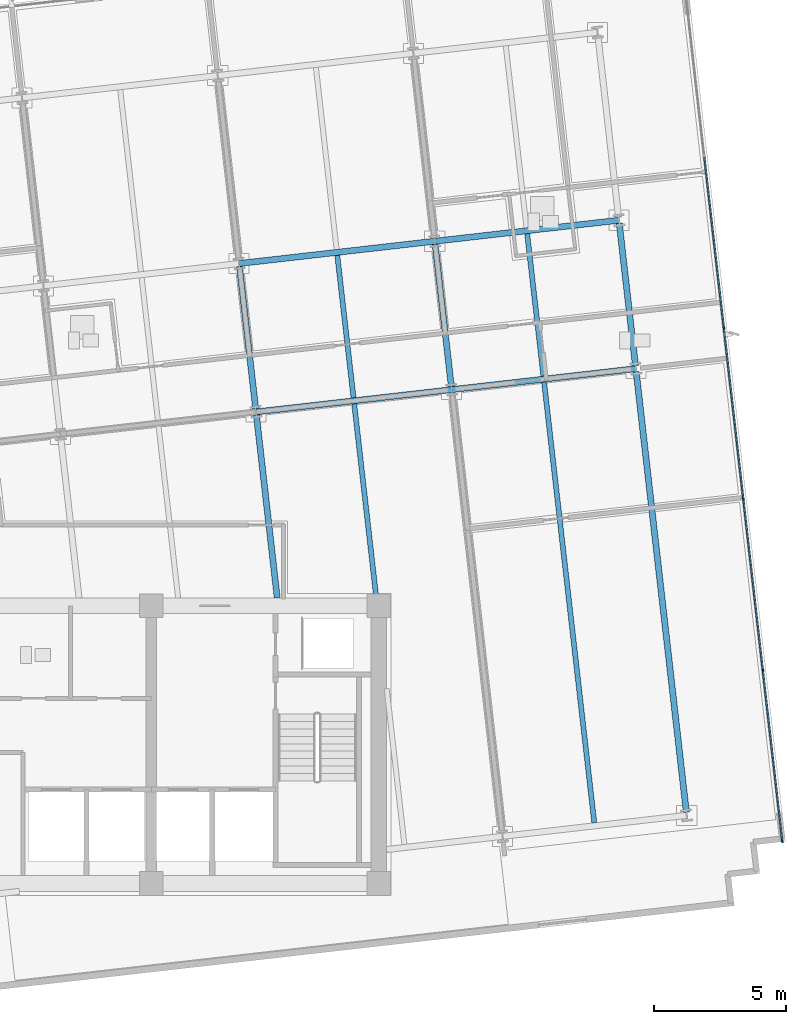
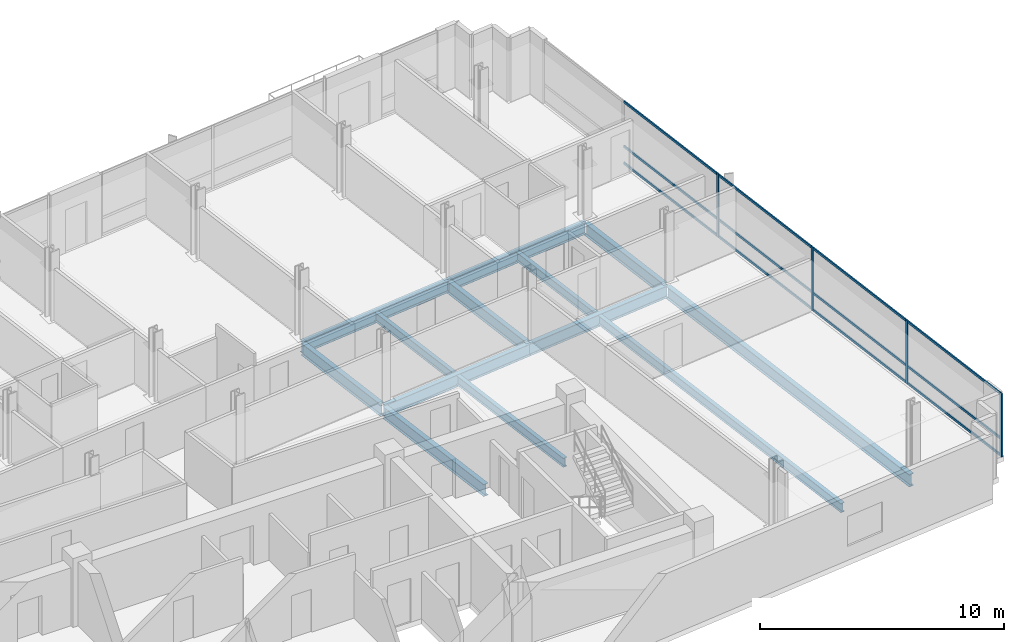
# One storey, part 5 of 16: 16 members, 13 beams, 1 element without a shape of its own.
"""IFC4 building model written with IfcOpenShell, lengths in metres."""

from ifc_helpers import new_model, si_unit, direction, frame, origin, origin_2d, place, context, subcontext, project, spatial, rectangle, i_section, extrude, material, material_profile, profile_set, type_object, element, aggregate, save


model = new_model("IFC4")

# Units and contexts
model_context = context("Model", 3, precision=1e-05, world=origin(), true_north=direction((0.0, 1.0)))
body_context = subcontext(model_context, "Body", "Model", "MODEL_VIEW")
ifc_project = project(units=[si_unit("LENGTHUNIT", "METRE"), si_unit("AREAUNIT", "SQUARE_METRE"), si_unit("VOLUMEUNIT", "CUBIC_METRE"), si_unit("PLANEANGLEUNIT", "RADIAN"), si_unit("MASSUNIT", "GRAM", prefix="KILO")], contexts=[model_context])

# Site, building, storey
site_placement = place(None, origin())
site = spatial("IfcSite", under=ifc_project, at=site_placement, CompositionType="ELEMENT")
building_placement = place(site_placement, origin())
building = spatial("IfcBuilding", under=site, at=building_placement, Name="Solmavex Isthmus Hotel", CompositionType="ELEMENT")
storey_placement = place(building_placement, frame((0.0, 0.0, 215.85009765625)))
storey = spatial("IfcBuildingStorey", under=building, at=storey_placement, Name="L58", CompositionType="ELEMENT", Elevation=215.85009765625)

# Beams
ifc_material_1 = material(Name="Steel ASTM A992 Grade 50", Category="steel")
ifc_material_profile_1 = material_profile(ifc_material_1, i_section(OverallWidth=0.1904296875, OverallDepth=0.456787109375, WebThickness=0.009033203125, FlangeThickness=0.014404296875, FilletRadius=0.0126953125, at=origin_2d()), Name="W18X50")
ifc_profile_set_1 = profile_set([ifc_material_profile_1], Name="Steel ASTM A992 Grade 50")
beam_type_1 = type_object("IfcBeamType", Name="BM-BJ-W18X50", PredefinedType="JOIST", material=ifc_profile_set_1)
beam_1_placement = place(storey_placement, frame((15.908447265625, -2.199951171875, -0.488525390625), z_axis=(-0.113224925382, 0.99356938171, 0.0), x_axis=(-0.99356938171, -0.113224925382, 0.0)))
element("IfcBeam", 1, at=beam_1_placement, inside=storey, type_object=beam_type_1, Name="Secondary Floor Joist L58-J16", PredefinedType="JOIST", context=body_context, shape_type="SweptSolid", body=[
    extrude(i_section(OverallWidth=0.1904296875, OverallDepth=0.456787109375, WebThickness=0.009033203125, FlangeThickness=0.014404296875, FilletRadius=0.0126953125, at=origin_2d()), origin(), (0.0, 0.0, 1.0), 7.38525390625),
])
beam_2_placement = place(storey_placement, frame((15.046630859375, 5.364013671875, -0.488525390625), z_axis=(-0.113189626161, 0.993573403695, 0.0), x_axis=(-0.993573403695, -0.113189626161, 0.0)))
element("IfcBeam", 2, at=beam_2_placement, inside=storey, type_object=beam_type_1, Name="Secondary Floor Joist L58-J17", PredefinedType="JOIST", context=body_context, shape_type="SweptSolid", body=[
    extrude(i_section(OverallWidth=0.1904296875, OverallDepth=0.456787109375, WebThickness=0.009033203125, FlangeThickness=0.014404296875, FilletRadius=0.0126953125, at=origin_2d()), origin(), (0.0, 0.0, 1.0), 5.42041015625),
])
beam_3_placement = place(storey_placement, frame((24.1513671875, -10.707275390625, -0.488525390625), z_axis=(-0.113198426291, 0.993572401129, 0.0), x_axis=(-0.993572401129, -0.113198426291, 0.0)))
element("IfcBeam", 3, at=beam_3_placement, inside=storey, type_object=beam_type_1, Name="Secondary Floor Joist L58-J19", PredefinedType="JOIST", context=body_context, shape_type="SweptSolid", body=[
    extrude(i_section(OverallWidth=0.1904296875, OverallDepth=0.456787109375, WebThickness=0.009033203125, FlangeThickness=0.014404296875, FilletRadius=0.0126953125, at=origin_2d()), origin(), (0.0, 0.0, 1.0), 16.77099609375),
])
beam_4_placement = place(storey_placement, frame((22.22705078125, 6.18212890625, -0.488525390625), z_axis=(-0.113189626161, 0.993573403695, 0.0), x_axis=(-0.993573403695, -0.113189626161, 0.0)))
element("IfcBeam", 4, at=beam_4_placement, inside=storey, type_object=beam_type_1, Name="Secondary Floor Joist L58-J20", PredefinedType="JOIST", context=body_context, shape_type="SweptSolid", body=[
    extrude(i_section(OverallWidth=0.1904296875, OverallDepth=0.456787109375, WebThickness=0.009033203125, FlangeThickness=0.014404296875, FilletRadius=0.0126953125, at=origin_2d()), origin(), (0.0, 0.0, 1.0), 5.42041015625),
])
ifc_material_profile_2 = material_profile(ifc_material_1, i_section(OverallWidth=0.227783203125, OverallDepth=0.602783203125, WebThickness=0.010498046875, FlangeThickness=0.014892578125, FilletRadius=0.01513671875, at=origin_2d()), Name="W24X68")
ifc_profile_set_2 = profile_set([ifc_material_profile_2], Name="Steel ASTM A992 Grade 50")
beam_type_2 = type_object("IfcBeamType", Name="BM-BM-W24X68", PredefinedType="BEAM", material=ifc_profile_set_2)
beam_5_placement = place(storey_placement, frame((11.3603515625, 4.829345703125, -0.5615234375), z_axis=(0.9935703463, 0.113216460607, 0.0), x_axis=(-0.113216460607, 0.9935703463, 0.0)))
element("IfcBeam", 5, at=beam_5_placement, inside=storey, type_object=beam_type_2, Name="Floor Girder L58-UG10", PredefinedType="BEAM", context=body_context, shape_type="SweptSolid", body=[
    extrude(i_section(OverallWidth=0.227783203125, OverallDepth=0.602783203125, WebThickness=0.010498046875, FlangeThickness=0.014892578125, FilletRadius=0.01513671875, at=origin_2d()), origin(), (0.0, 0.0, 1.0), 7.446044921875),
])
beam_6_placement = place(storey_placement, frame((18.758544921875, 5.67236328125, -0.5615234375), z_axis=(0.99357359356, 0.113187959519, 0.0), x_axis=(-0.113187959519, 0.99357359356, 0.0)))
element("IfcBeam", 6, at=beam_6_placement, inside=storey, type_object=beam_type_2, Name="Floor Girder L58-UG11", PredefinedType="BEAM", context=body_context, shape_type="SweptSolid", body=[
    extrude(i_section(OverallWidth=0.227783203125, OverallDepth=0.602783203125, WebThickness=0.010498046875, FlangeThickness=0.014892578125, FilletRadius=0.01513671875, at=origin_2d()), origin(), (0.0, 0.0, 1.0), 7.0078125),
])
beam_7_placement = place(storey_placement, frame((10.720947265625, 10.441162109375, -0.5615234375), z_axis=(0.993574034044, 0.113184092846, 0.0), x_axis=(-0.113184092846, 0.993574034044, 0.0)))
element("IfcBeam", 7, at=beam_7_placement, inside=storey, type_object=beam_type_2, Name="Floor Girder L58-UG16", PredefinedType="BEAM", context=body_context, shape_type="SweptSolid", body=[
    extrude(i_section(OverallWidth=0.227783203125, OverallDepth=0.602783203125, WebThickness=0.010498046875, FlangeThickness=0.014892578125, FilletRadius=0.01513671875, at=origin_2d()), origin(), (0.0, 0.0, 1.0), 7.446044921875),
])
beam_8_placement = place(storey_placement, frame((18.119140625, 11.283935546875, -0.5615234375), z_axis=(0.993569675103, 0.113222350774, 0.0), x_axis=(-0.113222350774, 0.993569675103, 0.0)))
element("IfcBeam", 8, at=beam_8_placement, inside=storey, type_object=beam_type_2, Name="Floor Girder L58-UG17", PredefinedType="BEAM", context=body_context, shape_type="SweptSolid", body=[
    extrude(i_section(OverallWidth=0.227783203125, OverallDepth=0.602783203125, WebThickness=0.010498046875, FlangeThickness=0.014892578125, FilletRadius=0.01513671875, at=origin_2d()), origin(), (0.0, 0.0, 1.0), 7.008056640625),
])
beam_9_placement = place(storey_placement, frame((12.161376953125, -2.199951171875, -0.5615234375), z_axis=(-0.113214229187, 0.993570600566, 0.0), x_axis=(-0.993570600566, -0.113214229187, 0.0)))
element("IfcBeam", 9, at=beam_9_placement, inside=storey, type_object=beam_type_2, Name="Floor Beam L58-VG37", PredefinedType="BEAM", context=body_context, shape_type="SweptSolid", body=[
    extrude(i_section(OverallWidth=0.227783203125, OverallDepth=0.602783203125, WebThickness=0.010498046875, FlangeThickness=0.014892578125, FilletRadius=0.01513671875, at=origin_2d()), origin(), (0.0, 0.0, 1.0), 6.9609375),
])
beam_10_placement = place(storey_placement, frame((11.347412109375, 4.942626953125, -0.5615234375), z_axis=(-0.113194691868, 0.993572826587, 0.0), x_axis=(-0.993572826587, -0.113194691868, 0.0)))
element("IfcBeam", 10, at=beam_10_placement, inside=storey, type_object=beam_type_2, Name="Floor Beam L58-VG38", PredefinedType="BEAM", context=body_context, shape_type="SweptSolid", body=[
    extrude(i_section(OverallWidth=0.227783203125, OverallDepth=0.602783203125, WebThickness=0.010498046875, FlangeThickness=0.014892578125, FilletRadius=0.01513671875, at=origin_2d()), origin(), (0.0, 0.0, 1.0), 5.420166015625),
])
beam_11_placement = place(storey_placement, frame((18.74560546875, 5.785400390625, -0.5615234375), z_axis=(-0.113189626161, 0.993573403695, 0.0), x_axis=(-0.993573403695, -0.113189626161, 0.0)))
element("IfcBeam", 11, at=beam_11_placement, inside=storey, type_object=beam_type_2, Name="Floor Beam L58-VG41", PredefinedType="BEAM", context=body_context, shape_type="SweptSolid", body=[
    extrude(i_section(OverallWidth=0.227783203125, OverallDepth=0.602783203125, WebThickness=0.010498046875, FlangeThickness=0.014892578125, FilletRadius=0.01513671875, at=origin_2d()), origin(), (0.0, 0.0, 1.0), 5.42041015625),
])
ifc_material_profile_3 = material_profile(ifc_material_1, i_section(OverallWidth=0.230224609375, OverallDepth=0.617431640625, WebThickness=0.01318359375, FlangeThickness=0.022216796875, FilletRadius=0.01513671875, at=origin_2d()), Name="W24X94")
ifc_profile_set_3 = profile_set([ifc_material_profile_3], Name="Steel ASTM A992 Grade 50")
beam_type_3 = type_object("IfcBeamType", Name="BM-SP-W24X94", PredefinedType="SPANDREL", material=ifc_profile_set_3)
beam_12_placement = place(storey_placement, frame((27.6328125, -10.310546875, -0.56884765625), z_axis=(-0.113198426291, 0.993572401129, 0.0), x_axis=(-0.993572401129, -0.113198426291, 0.0)))
element("IfcBeam", 12, at=beam_12_placement, inside=storey, type_object=beam_type_3, Name="Floor Beam L58-VG43", PredefinedType="SPANDREL", context=body_context, shape_type="SweptSolid", body=[
    extrude(i_section(OverallWidth=0.230224609375, OverallDepth=0.617431640625, WebThickness=0.01318359375, FlangeThickness=0.022216796875, FilletRadius=0.01513671875, at=origin_2d()), origin(), (0.0, 0.0, 1.0), 16.77099609375),
])
beam_13_placement = place(storey_placement, frame((25.70849609375, 6.578857421875, -0.56884765625), z_axis=(-0.113194691868, 0.993572826587, 0.0), x_axis=(-0.993572826587, -0.113194691868, 0.0)))
element("IfcBeam", 13, at=beam_13_placement, inside=storey, type_object=beam_type_3, Name="Floor Beam L58-VG44", PredefinedType="SPANDREL", context=body_context, shape_type="SweptSolid", body=[
    extrude(i_section(OverallWidth=0.230224609375, OverallDepth=0.617431640625, WebThickness=0.01318359375, FlangeThickness=0.022216796875, FilletRadius=0.01513671875, at=origin_2d()), origin(), (0.0, 0.0, 1.0), 5.420166015625),
])

# Curtain wall, members
ifc_material_2 = material(Name="Aluminium alloy 6063-T6", Category="aluminium")
curtain_wall_type = type_object("IfcCurtainWallType", Name="CW-SYS-06", PredefinedType="NOTDEFINED", material=ifc_material_2)
curtain_wall_placement = place(storey_placement, origin())
curtain_wall = element("IfcCurtainWall", 14, at=curtain_wall_placement, inside=storey, type_object=curtain_wall_type, Name="Stick Curtain Wall CWL-L58-E1", PredefinedType="NOTDEFINED")
ifc_material_profile_4 = material_profile(ifc_material_2, rectangle(XDim=0.06005859375, YDim=0.139892578125, at=origin_2d()), Name="CWM-60X140")
ifc_profile_set_4 = profile_set([ifc_material_profile_4], Name="Aluminium alloy 6063-T6")
member_type_1 = type_object("IfcMemberType", Name="CW-SYS-06-MUL", PredefinedType="MULLION", material=ifc_profile_set_4)
member_1_placement = place(storey_placement, frame((31.2587890625, -11.392333984375, 0.0), z_axis=(0.0, 0.0, 1.0), x_axis=(-0.993571836648, -0.11320338078, 0.0)))
member_1 = element("IfcMember", 15, at=member_1_placement, type_object=member_type_1, Name="CW-06 mullion 1", PredefinedType="MULLION", context=body_context, shape_type="SweptSolid", body=[
    extrude(rectangle(XDim=0.06005859375, YDim=0.139892578125, at=origin_2d()), origin(), (0.0, 0.0, 1.0), 3.18994140625),
])
member_2_placement = place(storey_placement, frame((30.52392578125, -4.944091796875, 0.0), z_axis=(0.0, 0.0, 1.0), x_axis=(-0.993571836648, -0.11320338078, 0.0)))
member_2 = element("IfcMember", 16, at=member_2_placement, type_object=member_type_1, Name="CW-06 mullion 2", PredefinedType="MULLION", context=body_context, shape_type="SweptSolid", body=[
    extrude(rectangle(XDim=0.06005859375, YDim=0.139892578125, at=origin_2d()), origin(), (0.0, 0.0, 1.0), 3.18994140625),
])
member_3_placement = place(storey_placement, frame((29.785888671875, 1.533935546875, 0.0), z_axis=(0.0, 0.0, 1.0), x_axis=(-0.993571836648, -0.11320338078, 0.0)))
member_3 = element("IfcMember", 17, at=member_3_placement, type_object=member_type_1, Name="CW-06 mullion 3", PredefinedType="MULLION", context=body_context, shape_type="SweptSolid", body=[
    extrude(rectangle(XDim=0.06005859375, YDim=0.139892578125, at=origin_2d()), origin(), (0.0, 0.0, 1.0), 3.18994140625),
])
member_4_placement = place(storey_placement, frame((29.0478515625, 8.01220703125, 0.0), z_axis=(0.0, 0.0, 1.0), x_axis=(-0.993571836648, -0.11320338078, 0.0)))
member_4 = element("IfcMember", 18, at=member_4_placement, type_object=member_type_1, Name="CW-06 mullion 4", PredefinedType="MULLION", context=body_context, shape_type="SweptSolid", body=[
    extrude(rectangle(XDim=0.06005859375, YDim=0.139892578125, at=origin_2d()), origin(), (0.0, 0.0, 1.0), 3.18994140625),
])
ifc_material_profile_5 = material_profile(ifc_material_2, rectangle(XDim=0.06005859375, YDim=0.114990234375, at=origin_2d()), Name="CWT-60X115")
ifc_profile_set_5 = profile_set([ifc_material_profile_5], Name="Aluminium alloy 6063-T6")
member_type_2 = type_object("IfcMemberType", Name="CW-SYS-06-TRN", PredefinedType="USERDEFINED", material=ifc_profile_set_5)
member_5_placement = place(storey_placement, frame((31.25537109375, -11.362548828125, 0.057373046875), z_axis=(-0.113223191888, 0.993569579254, 0.0), x_axis=(-0.993569579254, -0.113223191888, 0.0)))
member_5 = element("IfcMember", 19, at=member_5_placement, type_object=member_type_2, Name="CW-06 transom 1.1", ObjectType="TRANSOM", PredefinedType="USERDEFINED", context=body_context, shape_type="SweptSolid", body=[
    extrude(rectangle(XDim=0.06005859375, YDim=0.114990234375, at=origin_2d()), origin(), (0.0, 0.0, 1.0), 6.429931640625),
])
member_6_placement = place(storey_placement, frame((31.25537109375, -11.362548828125, 0.89990234375), z_axis=(-0.113223191888, 0.993569579254, 0.0), x_axis=(-0.993569579254, -0.113223191888, 0.0)))
member_6 = element("IfcMember", 20, at=member_6_placement, type_object=member_type_2, Name="CW-06 transom 1.2", ObjectType="TRANSOM", PredefinedType="USERDEFINED", context=body_context, shape_type="SweptSolid", body=[
    extrude(rectangle(XDim=0.06005859375, YDim=0.114990234375, at=origin_2d()), origin(), (0.0, 0.0, 1.0), 6.429931640625),
])
member_7_placement = place(storey_placement, frame((31.25537109375, -11.362548828125, 3.13232421875), z_axis=(-0.113223191888, 0.993569579254, 0.0), x_axis=(-0.993569579254, -0.113223191888, 0.0)))
member_7 = element("IfcMember", 21, at=member_7_placement, type_object=member_type_2, Name="CW-06 transom 1.3", ObjectType="TRANSOM", PredefinedType="USERDEFINED", context=body_context, shape_type="SweptSolid", body=[
    extrude(rectangle(XDim=0.06005859375, YDim=0.114990234375, at=origin_2d()), origin(), (0.0, 0.0, 1.0), 6.429931640625),
])
member_8_placement = place(storey_placement, frame((30.5205078125, -4.914306640625, 0.057373046875), z_axis=(-0.113189516226, 0.993573416219, 0.0), x_axis=(-0.993573416219, -0.113189516226, 0.0)))
member_8 = element("IfcMember", 22, at=member_8_placement, type_object=member_type_2, Name="CW-06 transom 2.1", ObjectType="TRANSOM", PredefinedType="USERDEFINED", context=body_context, shape_type="SweptSolid", body=[
    extrude(rectangle(XDim=0.06005859375, YDim=0.114990234375, at=origin_2d()), origin(), (0.0, 0.0, 1.0), 6.4599609375),
])
member_9_placement = place(storey_placement, frame((30.5205078125, -4.914306640625, 0.89990234375), z_axis=(-0.113189516226, 0.993573416219, 0.0), x_axis=(-0.993573416219, -0.113189516226, 0.0)))
member_9 = element("IfcMember", 23, at=member_9_placement, type_object=member_type_2, Name="CW-06 transom 2.2", ObjectType="TRANSOM", PredefinedType="USERDEFINED", context=body_context, shape_type="SweptSolid", body=[
    extrude(rectangle(XDim=0.06005859375, YDim=0.114990234375, at=origin_2d()), origin(), (0.0, 0.0, 1.0), 6.4599609375),
])
member_10_placement = place(storey_placement, frame((30.5205078125, -4.914306640625, 3.13232421875), z_axis=(-0.113189516226, 0.993573416219, 0.0), x_axis=(-0.993573416219, -0.113189516226, 0.0)))
member_10 = element("IfcMember", 24, at=member_10_placement, type_object=member_type_2, Name="CW-06 transom 2.3", ObjectType="TRANSOM", PredefinedType="USERDEFINED", context=body_context, shape_type="SweptSolid", body=[
    extrude(rectangle(XDim=0.06005859375, YDim=0.114990234375, at=origin_2d()), origin(), (0.0, 0.0, 1.0), 6.4599609375),
])
member_11_placement = place(storey_placement, frame((29.782470703125, 1.56396484375, 0.057373046875), z_axis=(-0.113189516226, 0.993573416219, 0.0), x_axis=(-0.993573416219, -0.113189516226, 0.0)))
member_11 = element("IfcMember", 25, at=member_11_placement, type_object=member_type_2, Name="CW-06 transom 3.1", ObjectType="TRANSOM", PredefinedType="USERDEFINED", context=body_context, shape_type="SweptSolid", body=[
    extrude(rectangle(XDim=0.06005859375, YDim=0.114990234375, at=origin_2d()), origin(), (0.0, 0.0, 1.0), 6.4599609375),
])
member_12_placement = place(storey_placement, frame((29.782470703125, 1.56396484375, 0.89990234375), z_axis=(-0.113189516226, 0.993573416219, 0.0), x_axis=(-0.993573416219, -0.113189516226, 0.0)))
member_12 = element("IfcMember", 26, at=member_12_placement, type_object=member_type_2, Name="CW-06 transom 3.2", ObjectType="TRANSOM", PredefinedType="USERDEFINED", context=body_context, shape_type="SweptSolid", body=[
    extrude(rectangle(XDim=0.06005859375, YDim=0.114990234375, at=origin_2d()), origin(), (0.0, 0.0, 1.0), 6.4599609375),
])
member_13_placement = place(storey_placement, frame((29.782470703125, 1.56396484375, 3.13232421875), z_axis=(-0.113189516226, 0.993573416219, 0.0), x_axis=(-0.993573416219, -0.113189516226, 0.0)))
member_13 = element("IfcMember", 27, at=member_13_placement, type_object=member_type_2, Name="CW-06 transom 3.3", ObjectType="TRANSOM", PredefinedType="USERDEFINED", context=body_context, shape_type="SweptSolid", body=[
    extrude(rectangle(XDim=0.06005859375, YDim=0.114990234375, at=origin_2d()), origin(), (0.0, 0.0, 1.0), 6.4599609375),
])
member_14_placement = place(storey_placement, frame((29.04443359375, 8.0419921875, 0.057373046875), z_axis=(-0.113189516226, 0.993573416219, 0.0), x_axis=(-0.993573416219, -0.113189516226, 0.0)))
member_14 = element("IfcMember", 28, at=member_14_placement, type_object=member_type_2, Name="CW-06 transom 4.1", ObjectType="TRANSOM", PredefinedType="USERDEFINED", context=body_context, shape_type="SweptSolid", body=[
    extrude(rectangle(XDim=0.06005859375, YDim=0.114990234375, at=origin_2d()), origin(), (0.0, 0.0, 1.0), 6.4599609375),
])
member_15_placement = place(storey_placement, frame((29.04443359375, 8.0419921875, 0.89990234375), z_axis=(-0.113189516226, 0.993573416219, 0.0), x_axis=(-0.993573416219, -0.113189516226, 0.0)))
member_15 = element("IfcMember", 29, at=member_15_placement, type_object=member_type_2, Name="CW-06 transom 4.2", ObjectType="TRANSOM", PredefinedType="USERDEFINED", context=body_context, shape_type="SweptSolid", body=[
    extrude(rectangle(XDim=0.06005859375, YDim=0.114990234375, at=origin_2d()), origin(), (0.0, 0.0, 1.0), 6.4599609375),
])
member_16_placement = place(storey_placement, frame((29.04443359375, 8.0419921875, 3.13232421875), z_axis=(-0.113189516226, 0.993573416219, 0.0), x_axis=(-0.993573416219, -0.113189516226, 0.0)))
member_16 = element("IfcMember", 30, at=member_16_placement, type_object=member_type_2, Name="CW-06 transom 4.3", ObjectType="TRANSOM", PredefinedType="USERDEFINED", context=body_context, shape_type="SweptSolid", body=[
    extrude(rectangle(XDim=0.06005859375, YDim=0.114990234375, at=origin_2d()), origin(), (0.0, 0.0, 1.0), 6.4599609375),
])
aggregate(curtain_wall, [member_1, member_2, member_3, member_4, member_5, member_6, member_7, member_8, member_9, member_10, member_11, member_12, member_13, member_14, member_15, member_16])

save(model, "model.ifc")
